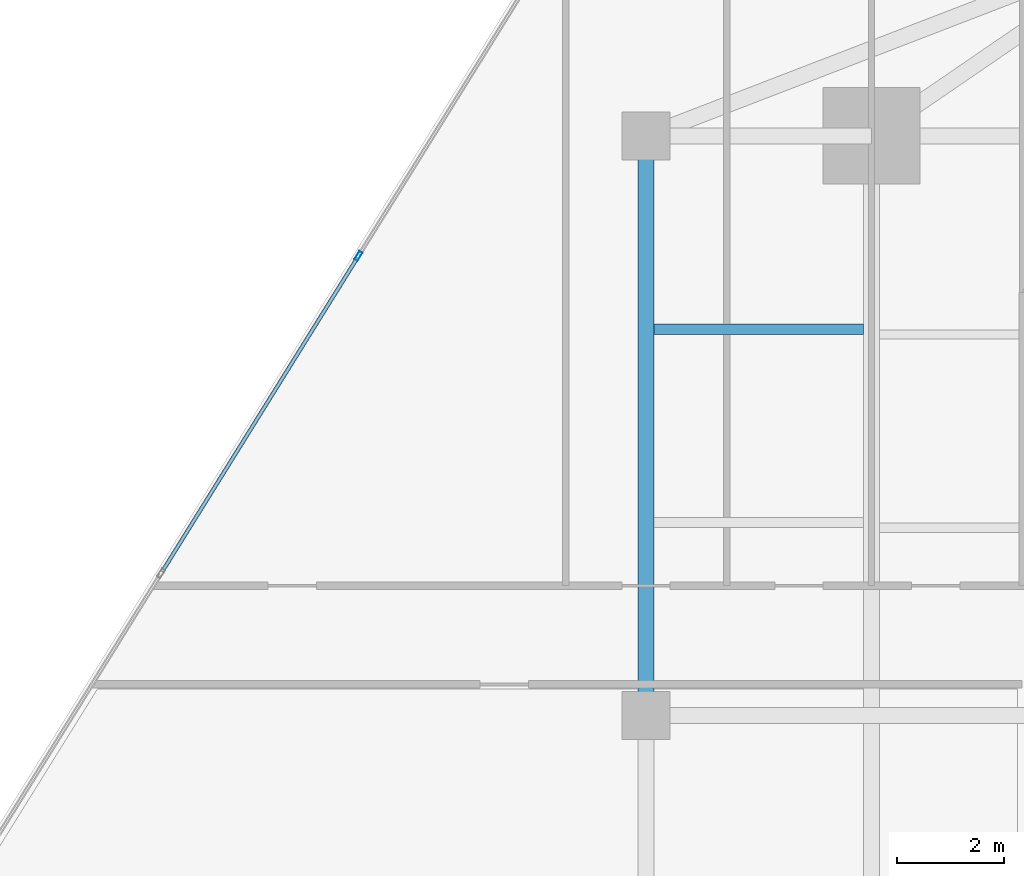
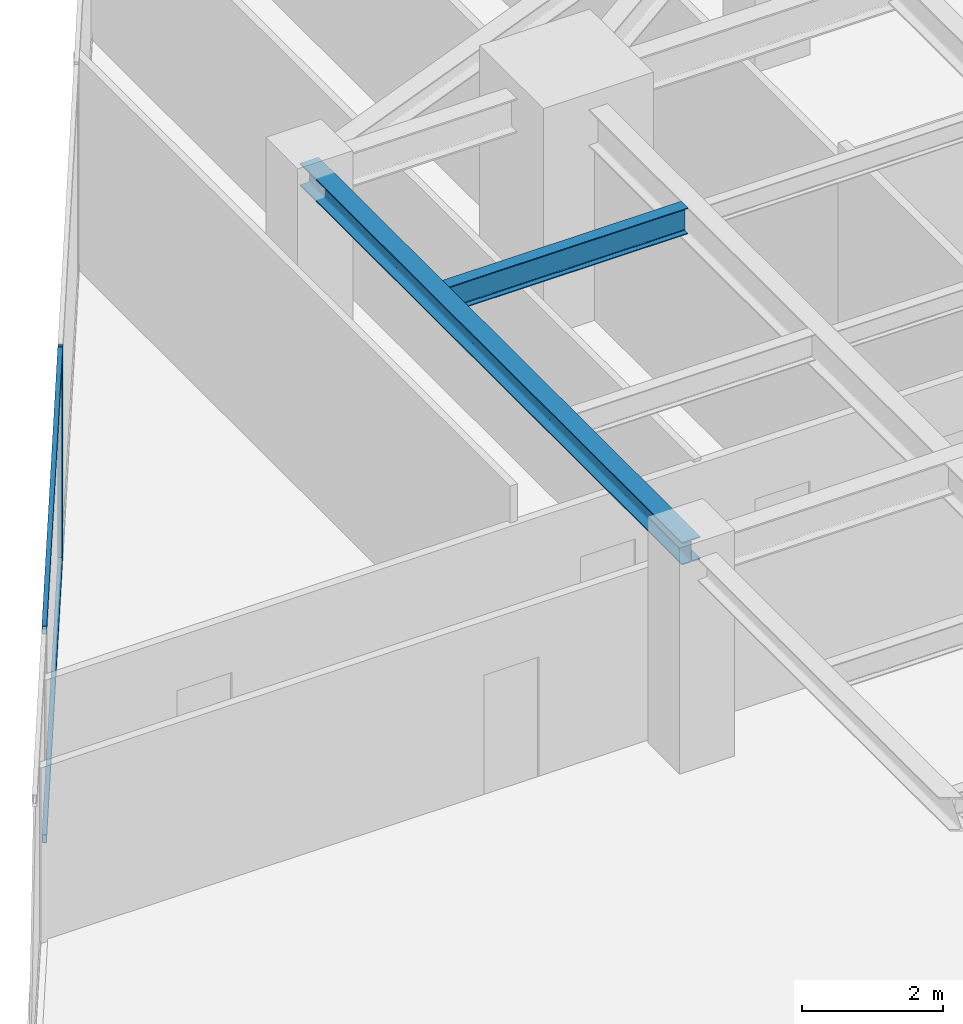
# One storey, part 12 of 26: 3 members, 2 beams, 1 element without a shape of its own.
"""IFC4 building model written with IfcOpenShell, lengths in metres."""

from ifc_helpers import new_model, si_unit, direction, frame, origin, origin_2d, place, context, subcontext, project, spatial, hollow_rectangle, i_section, extrude, source, transform, mapped, material, material_profile, profile_set, type_object, type_shapes, element, aggregate, save


model = new_model("IFC4")

# Units and contexts
model_context = context("Model", 3, precision=1e-05, world=origin(), true_north=direction((0.0, 1.0)))
body_context = subcontext(model_context, "Body", "Model", "MODEL_VIEW")
ifc_project = project(units=[si_unit("LENGTHUNIT", "METRE"), si_unit("AREAUNIT", "SQUARE_METRE"), si_unit("VOLUMEUNIT", "CUBIC_METRE"), si_unit("PLANEANGLEUNIT", "RADIAN"), si_unit("MASSUNIT", "GRAM", prefix="KILO")], contexts=[model_context])

# Site, building, storey
site_placement = place(None, origin())
site = spatial("IfcSite", under=ifc_project, at=site_placement, CompositionType="ELEMENT")
building_placement = place(site_placement, origin())
building = spatial("IfcBuilding", under=site, at=building_placement, Name="Krantzveldt Concourse Tower", CompositionType="ELEMENT")
storey_placement = place(building_placement, frame((0.0, 0.0, 173.85009765625)))
storey = spatial("IfcBuildingStorey", under=building, at=storey_placement, Name="L42", CompositionType="ELEMENT", Elevation=173.85009765625)

# Beams
ifc_material_1 = material(Name="Steel S355JR", Category="steel")
ifc_material_profile_1 = material_profile(ifc_material_1, i_section(OverallWidth=0.300048828125, OverallDepth=0.389892578125, WebThickness=0.010986328125, FlangeThickness=0.01904296875, FilletRadius=0.027099609375, at=origin_2d()), Name="Steel S355JR", Category="steel")
ifc_profile_set_1 = profile_set([ifc_material_profile_1], Name="Steel S355JR - HEA 400")
beam_type_1 = type_object("IfcBeamType", Name="BM-SP-HEA400", PredefinedType="SPANDREL", material=ifc_profile_set_1)
shared_shape_1 = source(origin(), body_context, "Body", "SweptSolid", [
    extrude(i_section(OverallWidth=0.300048828125, OverallDepth=0.389892578125, WebThickness=0.010986328125, FlangeThickness=0.01904296875, FilletRadius=0.027099609375, at=origin_2d()), origin(), (0.0, 0.0, 1.0), 10.800048828125),
])
type_shapes(beam_type_1, [shared_shape_1])
beam_1_placement = place(storey_placement, frame((21.0, 26.699951171875, 3.474853515625), z_axis=(0.0, 1.0, 0.0), x_axis=(-1.0, 0.0, 0.0)))
element("IfcBeam", 1, at=beam_1_placement, inside=storey, type_object=beam_type_1, Name="L42 Tower Girder SP-R02", PredefinedType="SPANDREL", context=body_context, shape_type="MappedRepresentation", body=[
    mapped(shared_shape_1, transform((0.0, 0.0, 0.0), x_axis=(1.0, 0.0, 0.0), y_axis=(0.0, 1.0, 0.0), z_axis=(0.0, 0.0, 1.0), scale=1.0)),
])
ifc_material_profile_2 = material_profile(ifc_material_1, i_section(OverallWidth=0.18994140625, OverallDepth=0.449951171875, WebThickness=0.009521484375, FlangeThickness=0.0146484375, FilletRadius=0.02099609375, at=origin_2d()), Name="Steel S355JR", Category="steel")
ifc_profile_set_2 = profile_set([ifc_material_profile_2], Name="Steel S355JR - IPE 450")
beam_type_2 = type_object("IfcBeamType", Name="BM-J-IPE450", PredefinedType="JOIST", material=ifc_profile_set_2)
shared_shape_2 = source(origin(), body_context, "Body", "SweptSolid", [
    extrude(i_section(OverallWidth=0.18994140625, OverallDepth=0.449951171875, WebThickness=0.009521484375, FlangeThickness=0.0146484375, FilletRadius=0.02099609375, at=origin_2d()), origin(), (0.0, 0.0, 1.0), 3.900146484375),
])
type_shapes(beam_type_2, [shared_shape_2])
beam_2_placement = place(storey_placement, frame((21.14990234375, 33.89990234375, 3.44482421875), z_axis=(1.0, 0.0, 0.0), x_axis=(0.0, 1.0, 0.0)))
element("IfcBeam", 2, at=beam_2_placement, inside=storey, type_object=beam_type_2, Name="L42 Secondary Floor Joist JW-4", PredefinedType="JOIST", context=body_context, shape_type="MappedRepresentation", body=[
    mapped(shared_shape_2, transform((0.0, 0.0, 0.0), x_axis=(1.0, 0.0, 0.0), y_axis=(0.0, 1.0, 0.0), z_axis=(0.0, 0.0, 1.0), scale=1.0)),
])

# Curtain wall, members
ifc_material_2 = material(Name="Anodised aluminium 6063-T6", Category="aluminium")
curtain_wall_type = type_object("IfcCurtainWallType", Name="CW3", PredefinedType="USERDEFINED", material=ifc_material_2)
curtain_wall_placement = place(storey_placement, origin())
curtain_wall = element("IfcCurtainWall", 3, at=curtain_wall_placement, inside=storey, type_object=curtain_wall_type, Name="CW-L42-F01", ObjectType="UNITISED CURTAIN WALL", PredefinedType="USERDEFINED")
ifc_material_profile_3 = material_profile(ifc_material_2, hollow_rectangle(XDim=0.070068359375, YDim=0.179931640625, WallThickness=0.0048828125, at=origin_2d()), Name="Anodised aluminium 6063-T6", Category="aluminium")
ifc_profile_set_3 = profile_set([ifc_material_profile_3], Name="Anodised aluminium 6063-T6 - ALU-MULL 180x70x5")
member_type_1 = type_object("IfcMemberType", Name="CW-MUL-180", PredefinedType="MULLION", material=ifc_profile_set_3)
shared_shape_3 = source(origin(), body_context, "Body", "SweptSolid", [
    extrude(hollow_rectangle(XDim=0.070068359375, YDim=0.179931640625, WallThickness=0.0048828125, at=origin_2d()), origin(), (0.0, 0.0, 1.0), 3.669921875),
])
type_shapes(member_type_1, [shared_shape_3])
member_1_placement = place(storey_placement, frame((15.64111328125, 35.261962890625, 0.0), z_axis=(0.0, 0.0, 1.0), x_axis=(0.84920214961, -0.528067901977, 0.0)))
member_1 = element("IfcMember", 4, at=member_1_placement, type_object=member_type_1, Name="CW-Z34 mullion 4", PredefinedType="MULLION", context=body_context, shape_type="MappedRepresentation", body=[
    mapped(shared_shape_3, transform((0.0, 0.0, 0.0), x_axis=(1.0, 0.0, 0.0), y_axis=(0.0, 1.0, 0.0), z_axis=(0.0, 0.0, 1.0), scale=1.0)),
])
ifc_material_profile_4 = material_profile(ifc_material_2, hollow_rectangle(XDim=0.070068359375, YDim=0.139892578125, WallThickness=0.0048828125, at=origin_2d()), Name="Anodised aluminium 6063-T6", Category="aluminium")
ifc_profile_set_4 = profile_set([ifc_material_profile_4], Name="Anodised aluminium 6063-T6 - ALU-TRAN 140x70x5")
member_type_2 = type_object("IfcMemberType", Name="CW-TRN-150", PredefinedType="USERDEFINED", material=ifc_profile_set_4)
shared_shape_4 = source(origin(), body_context, "Body", "SweptSolid", [
    extrude(hollow_rectangle(XDim=0.070068359375, YDim=0.139892578125, WallThickness=0.0048828125, at=origin_2d()), origin(), (0.0, 0.0, 1.0), 6.89013671875),
])
type_shapes(member_type_2, [shared_shape_4])
member_2_placement = place(storey_placement, frame((15.622802734375, 35.232177734375, 0.034912109375), z_axis=(-0.528067429464, -0.849202443437, 0.0), x_axis=(0.849202443437, -0.528067429464, 0.0)))
member_2 = element("IfcMember", 5, at=member_2_placement, type_object=member_type_2, Name="CW-Z34 transom 4.1", ObjectType="TRANSOM", PredefinedType="USERDEFINED", context=body_context, shape_type="MappedRepresentation", body=[
    mapped(shared_shape_4, transform((0.0, 0.0, 0.0), x_axis=(1.0, 0.0, 0.0), y_axis=(0.0, 1.0, 0.0), z_axis=(0.0, 0.0, 1.0), scale=1.0)),
])
member_3_placement = place(storey_placement, frame((15.622802734375, 35.232177734375, 3.635009765625), z_axis=(-0.528067429464, -0.849202443437, 0.0), x_axis=(0.849202443437, -0.528067429464, 0.0)))
member_3 = element("IfcMember", 6, at=member_3_placement, type_object=member_type_2, Name="CW-Z34 transom 4.2", ObjectType="TRANSOM", PredefinedType="USERDEFINED", context=body_context, shape_type="MappedRepresentation", body=[
    mapped(shared_shape_4, transform((0.0, 0.0, 0.0), x_axis=(1.0, 0.0, 0.0), y_axis=(0.0, 1.0, 0.0), z_axis=(0.0, 0.0, 1.0), scale=1.0)),
])
aggregate(curtain_wall, [member_1, member_2, member_3])

save(model, "model.ifc")
